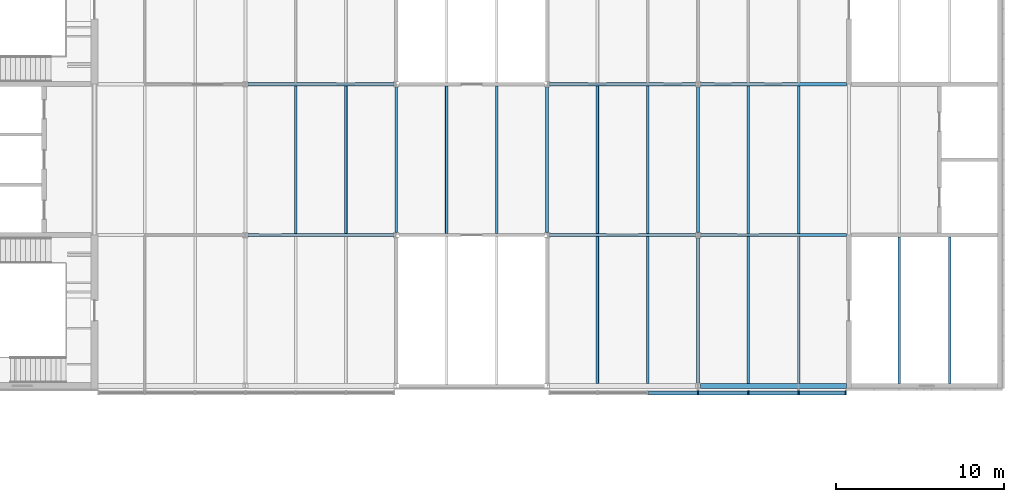
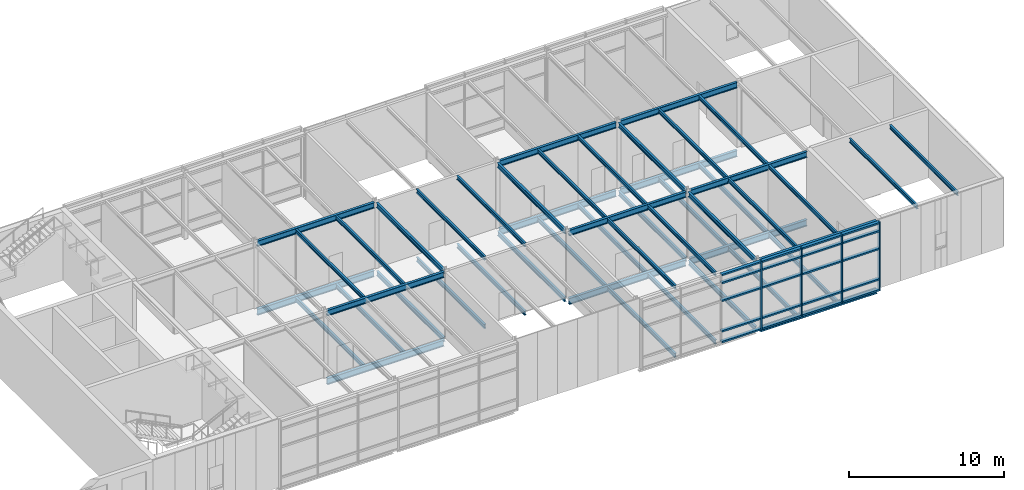
# One storey, part 26 of 46: 48 beams, 24 members, 1 element without a shape of its own.
"""IFC4 building model written with IfcOpenShell, lengths in metres."""

from ifc_helpers import new_model, si_unit, direction, frame, origin, origin_2d, place, context, subcontext, project, spatial, rectangle, i_section, extrude, material, material_profile, profile_set, type_object, element, aggregate, save


model = new_model("IFC4")

# Units and contexts
model_context = context("Model", 3, precision=1e-05, world=origin(), true_north=direction((0.0, 1.0)))
body_context = subcontext(model_context, "Body", "Model", "MODEL_VIEW")
ifc_project = project(units=[si_unit("LENGTHUNIT", "METRE"), si_unit("AREAUNIT", "SQUARE_METRE"), si_unit("VOLUMEUNIT", "CUBIC_METRE"), si_unit("PLANEANGLEUNIT", "RADIAN"), si_unit("MASSUNIT", "GRAM", prefix="KILO")], contexts=[model_context])

# Site, building, storey
site_placement = place(None, origin())
site = spatial("IfcSite", under=ifc_project, at=site_placement, CompositionType="ELEMENT")
building_placement = place(site_placement, origin())
building = spatial("IfcBuilding", under=site, at=building_placement, Name="Azimuth Sports and Learning Centre", CompositionType="ELEMENT")
storey_placement = place(building_placement, frame((0.0, 0.0, 21.60009765625)))
storey = spatial("IfcBuildingStorey", under=building, at=storey_placement, Name="L04", CompositionType="ELEMENT", Elevation=21.60009765625)

# Beams
ifc_material_1 = material(Name="Steel S355", Category="steel")
ifc_material_profile_1 = material_profile(ifc_material_1, i_section(OverallWidth=0.169921875, OverallDepth=0.360107421875, WebThickness=0.008056640625, FlangeThickness=0.0126953125, FilletRadius=0.01806640625, at=origin_2d()), Name="IPE 360")
ifc_profile_set_1 = profile_set([ifc_material_profile_1], Name="Steel S355")
beam_type_1 = type_object("IfcBeamType", Name="Beam IPE 360", PredefinedType="BEAM", material=ifc_profile_set_1)
for number, where, z_axis, x_axis, name in (
    (1, (135.0, 99.179931640625, -0.330078125), (0.0, 1.0, 0.0), (-1.0, 0.0, 0.0), "Beam L04 WE 21"),
    (2, (144.0, 99.179931640625, -0.330078125), (0.0, 1.0, 0.0), (-1.0, 0.0, 0.0), "Beam L04 WE 22"),
    (3, (153.0, 90.179931640625, -0.330078125), (0.0, 1.0, 0.0), (-1.0, 0.0, 0.0), "Beam L04 WE 23"),
    (4, (153.0, 99.179931640625, -0.330078125), (0.0, 1.0, 0.0), (-1.0, 0.0, 0.0), "Beam L04 WE 24"),
):
    element("IfcBeam", number, at=place(storey_placement, frame(where, z_axis=z_axis, x_axis=x_axis)), inside=storey, type_object=beam_type_1, Name=name, PredefinedType="BEAM", context=body_context, shape_type="SweptSolid", body=[
        extrude(i_section(OverallWidth=0.169921875, OverallDepth=0.360107421875, WebThickness=0.008056640625, FlangeThickness=0.0126953125, FilletRadius=0.01806640625, at=origin_2d()), origin(), (0.0, 0.0, 1.0), 8.64013671875),
    ])
for number, where, z_axis, x_axis, name in (
    (5, (135.0, 99.14990234375, 5.02001953125), (0.0, 1.0, 0.0), (-1.0, 0.0, 0.0), "Beam L04 TE 82"),
    (6, (144.0, 99.14990234375, 5.02001953125), (0.0, 1.0, 0.0), (-1.0, 0.0, 0.0), "Beam L04 TE 83"),
    (7, (153.0, 90.14990234375, 5.02001953125), (0.0, 1.0, 0.0), (-1.0, 0.0, 0.0), "Beam L04 TE 84"),
    (8, (153.0, 99.14990234375, 5.02001953125), (0.0, 1.0, 0.0), (-1.0, 0.0, 0.0), "Beam L04 TE 85"),
):
    element("IfcBeam", number, at=place(storey_placement, frame(where, z_axis=z_axis, x_axis=x_axis)), inside=storey, type_object=beam_type_1, Name=name, PredefinedType="BEAM", context=body_context, shape_type="SweptSolid", body=[
        extrude(i_section(OverallWidth=0.169921875, OverallDepth=0.360107421875, WebThickness=0.008056640625, FlangeThickness=0.0126953125, FilletRadius=0.01806640625, at=origin_2d()), origin(), (0.0, 0.0, 1.0), 8.7001953125),
    ])
ifc_material_2 = material(Name="Steel S355", Category="steel")
ifc_material_profile_2 = material_profile(ifc_material_2, i_section(OverallWidth=0.18994140625, OverallDepth=0.449951171875, WebThickness=0.009521484375, FlangeThickness=0.0146484375, FilletRadius=0.02099609375, at=origin_2d()), Name="IPE 450")
ifc_profile_set_2 = profile_set([ifc_material_profile_2], Name="Steel S355")
beam_type_2 = type_object("IfcBeamType", Name="Beam IPE 450", PredefinedType="BEAM", material=ifc_profile_set_2)
for number, where, z_axis, x_axis, name in (
    (9, (126.14990234375, 99.0, 4.974853515625), (1.0, 0.0, 0.0), (0.0, 1.0, 0.0), "Beam L04 TE 67"),
    (10, (144.14990234375, 99.0, 4.974853515625), (1.0, 0.0, 0.0), (0.0, 1.0, 0.0), "Beam L04 TE 68"),
    (11, (153.14990234375, 99.0, 4.974853515625), (1.0, 0.0, 0.0), (0.0, 1.0, 0.0), "Beam L04 TE 69"),
    (12, (126.14990234375, 108.0, 4.974853515625), (1.0, 0.0, 0.0), (0.0, 1.0, 0.0), "Beam L04 TE 71"),
    (13, (144.14990234375, 108.0, 4.974853515625), (1.0, 0.0, 0.0), (0.0, 1.0, 0.0), "Beam L04 TE 72"),
    (14, (153.14990234375, 108.0, 4.974853515625), (1.0, 0.0, 0.0), (0.0, 1.0, 0.0), "Beam L04 TE 73"),
):
    element("IfcBeam", number, at=place(storey_placement, frame(where, z_axis=z_axis, x_axis=x_axis)), inside=storey, type_object=beam_type_2, Name=name, PredefinedType="BEAM", context=body_context, shape_type="SweptSolid", body=[
        extrude(i_section(OverallWidth=0.18994140625, OverallDepth=0.449951171875, WebThickness=0.009521484375, FlangeThickness=0.0146484375, FilletRadius=0.02099609375, at=origin_2d()), origin(), (0.0, 0.0, 1.0), 8.7001953125),
    ])
ifc_material_3 = material(Name="Steel S355", Category="steel")
ifc_material_profile_3 = material_profile(ifc_material_3, i_section(OverallWidth=0.199951171875, OverallDepth=0.5, WebThickness=0.01025390625, FlangeThickness=0.01611328125, FilletRadius=0.02099609375, at=origin_2d()), Name="IPE 500")
ifc_profile_set_3 = profile_set([ifc_material_profile_3], Name="Steel S355")
beam_type_3 = type_object("IfcBeamType", Name="Beam IPE 500", PredefinedType="BEAM", material=ifc_profile_set_3)
for number, where, z_axis, x_axis, name in (
    (15, (126.14990234375, 99.0, -0.400146484375), (1.0, 0.0, 0.0), (0.0, 1.0, 0.0), "Beam L04 WE 6"),
    (16, (144.14990234375, 99.0, -0.400146484375), (1.0, 0.0, 0.0), (0.0, 1.0, 0.0), "Beam L04 WE 7"),
    (17, (153.14990234375, 99.0, -0.400146484375), (1.0, 0.0, 0.0), (0.0, 1.0, 0.0), "Beam L04 WE 8"),
    (18, (126.14990234375, 108.0, -0.400146484375), (1.0, 0.0, 0.0), (0.0, 1.0, 0.0), "Beam L04 WE 10"),
    (19, (144.14990234375, 108.0, -0.400146484375), (1.0, 0.0, 0.0), (0.0, 1.0, 0.0), "Beam L04 WE 11"),
    (20, (153.14990234375, 108.0, -0.400146484375), (1.0, 0.0, 0.0), (0.0, 1.0, 0.0), "Beam L04 WE 12"),
):
    element("IfcBeam", number, at=place(storey_placement, frame(where, z_axis=z_axis, x_axis=x_axis)), inside=storey, type_object=beam_type_3, Name=name, PredefinedType="BEAM", context=body_context, shape_type="SweptSolid", body=[
        extrude(i_section(OverallWidth=0.199951171875, OverallDepth=0.5, WebThickness=0.01025390625, FlangeThickness=0.01611328125, FilletRadius=0.02099609375, at=origin_2d()), origin(), (0.0, 0.0, 1.0), 8.7001953125),
    ])
ifc_material_4 = material(Name="Steel S355", Category="steel")
ifc_material_profile_4 = material_profile(ifc_material_4, i_section(OverallWidth=0.300048828125, OverallDepth=0.2900390625, WebThickness=0.008544921875, FlangeThickness=0.013916015625, FilletRadius=0.027099609375, at=origin_2d()), Name="HEA 300")
ifc_profile_set_4 = profile_set([ifc_material_profile_4], Name="Steel S355")
beam_type_4 = type_object("IfcBeamType", Name="Edge beam HEA 300", PredefinedType="SPANDREL", material=ifc_profile_set_4)
beam_1_placement = place(storey_placement, frame((153.14990234375, 90.0, 5.054931640625), z_axis=(1.0, 0.0, 0.0), x_axis=(0.0, 1.0, 0.0)))
element("IfcBeam", 21, at=beam_1_placement, inside=storey, type_object=beam_type_4, Name="Edge beam L04 TE 65", PredefinedType="SPANDREL", context=body_context, shape_type="SweptSolid", body=[
    extrude(i_section(OverallWidth=0.300048828125, OverallDepth=0.2900390625, WebThickness=0.008544921875, FlangeThickness=0.013916015625, FilletRadius=0.027099609375, at=origin_2d()), origin(), (0.0, 0.0, 1.0), 8.7001953125),
])
ifc_material_5 = material(Name="Steel S355", Category="steel")
ifc_material_profile_5 = material_profile(ifc_material_5, i_section(OverallWidth=0.300048828125, OverallDepth=0.31005859375, WebThickness=0.009033203125, FlangeThickness=0.015380859375, FilletRadius=0.027099609375, at=origin_2d()), Name="HEA 320")
ifc_profile_set_5 = profile_set([ifc_material_profile_5], Name="Steel S355")
beam_type_5 = type_object("IfcBeamType", Name="Edge beam HEA 320", PredefinedType="SPANDREL", material=ifc_profile_set_5)
beam_2_placement = place(storey_placement, frame((153.14990234375, 90.0, -0.30517578125), z_axis=(1.0, 0.0, 0.0), x_axis=(0.0, 1.0, 0.0)))
element("IfcBeam", 22, at=beam_2_placement, inside=storey, type_object=beam_type_5, Name="Edge beam L04 WE 4", PredefinedType="SPANDREL", context=body_context, shape_type="SweptSolid", body=[
    extrude(i_section(OverallWidth=0.300048828125, OverallDepth=0.31005859375, WebThickness=0.009033203125, FlangeThickness=0.015380859375, FilletRadius=0.027099609375, at=origin_2d()), origin(), (0.0, 0.0, 1.0), 8.7001953125),
])
ifc_material_6 = material(Name="Steel S355", Category="steel")
ifc_material_profile_6 = material_profile(ifc_material_6, i_section(OverallWidth=0.14990234375, OverallDepth=0.300048828125, WebThickness=0.007080078125, FlangeThickness=0.0107421875, FilletRadius=0.014892578125, at=origin_2d()), Name="IPE 300")
ifc_profile_set_6 = profile_set([ifc_material_profile_6], Name="Steel S355")
beam_type_6 = type_object("IfcBeamType", Name="Joist IPE 300", PredefinedType="JOIST", material=ifc_profile_set_6)
for number, where, z_axis, x_axis, name in (
    (23, (129.0, 99.094970703125, 5.0498046875), (0.0, 1.0, 0.0), (-1.0, 0.0, 0.0), "Joist L04 TE 95"),
    (24, (132.0, 99.094970703125, 5.0498046875), (0.0, 1.0, 0.0), (-1.0, 0.0, 0.0), "Joist L04 TE 98"),
):
    element("IfcBeam", number, at=place(storey_placement, frame(where, z_axis=z_axis, x_axis=x_axis)), inside=storey, type_object=beam_type_6, Name=name, PredefinedType="JOIST", context=body_context, shape_type="SweptSolid", body=[
        extrude(i_section(OverallWidth=0.14990234375, OverallDepth=0.300048828125, WebThickness=0.007080078125, FlangeThickness=0.0107421875, FilletRadius=0.014892578125, at=origin_2d()), origin(), (0.0, 0.0, 1.0), 8.81005859375),
    ])
for number, where, z_axis, x_axis, name in (
    (25, (138.0, 99.10009765625, 5.0498046875), (0.0, 1.0, 0.0), (-1.0, 0.0, 0.0), "Joist L04 TE 101"),
    (26, (141.0, 99.10009765625, 5.0498046875), (0.0, 1.0, 0.0), (-1.0, 0.0, 0.0), "Joist L04 TE 104"),
):
    element("IfcBeam", number, at=place(storey_placement, frame(where, z_axis=z_axis, x_axis=x_axis)), inside=storey, type_object=beam_type_6, Name=name, PredefinedType="JOIST", context=body_context, shape_type="SweptSolid", body=[
        extrude(i_section(OverallWidth=0.14990234375, OverallDepth=0.300048828125, WebThickness=0.007080078125, FlangeThickness=0.0107421875, FilletRadius=0.014892578125, at=origin_2d()), origin(), (0.0, 0.0, 1.0), 8.7998046875),
    ])
beam_3_placement = place(storey_placement, frame((147.0, 90.14990234375, 5.0498046875), z_axis=(0.0, 1.0, 0.0), x_axis=(-1.0, 0.0, 0.0)))
element("IfcBeam", 27, at=beam_3_placement, inside=storey, type_object=beam_type_6, Name="Joist L04 TE 106", PredefinedType="JOIST", context=body_context, shape_type="SweptSolid", body=[
    extrude(i_section(OverallWidth=0.14990234375, OverallDepth=0.300048828125, WebThickness=0.007080078125, FlangeThickness=0.0107421875, FilletRadius=0.014892578125, at=origin_2d()), origin(), (0.0, 0.0, 1.0), 8.755126953125),
])
beam_4_placement = place(storey_placement, frame((147.0, 99.094970703125, 5.0498046875), z_axis=(0.0, 1.0, 0.0), x_axis=(-1.0, 0.0, 0.0)))
element("IfcBeam", 28, at=beam_4_placement, inside=storey, type_object=beam_type_6, Name="Joist L04 TE 107", PredefinedType="JOIST", context=body_context, shape_type="SweptSolid", body=[
    extrude(i_section(OverallWidth=0.14990234375, OverallDepth=0.300048828125, WebThickness=0.007080078125, FlangeThickness=0.0107421875, FilletRadius=0.014892578125, at=origin_2d()), origin(), (0.0, 0.0, 1.0), 8.81005859375),
])
beam_5_placement = place(storey_placement, frame((150.0, 90.14990234375, 5.0498046875), z_axis=(0.0, 1.0, 0.0), x_axis=(-1.0, 0.0, 0.0)))
element("IfcBeam", 29, at=beam_5_placement, inside=storey, type_object=beam_type_6, Name="Joist L04 TE 109", PredefinedType="JOIST", context=body_context, shape_type="SweptSolid", body=[
    extrude(i_section(OverallWidth=0.14990234375, OverallDepth=0.300048828125, WebThickness=0.007080078125, FlangeThickness=0.0107421875, FilletRadius=0.014892578125, at=origin_2d()), origin(), (0.0, 0.0, 1.0), 8.755126953125),
])
beam_6_placement = place(storey_placement, frame((150.0, 99.094970703125, 5.0498046875), z_axis=(0.0, 1.0, 0.0), x_axis=(-1.0, 0.0, 0.0)))
element("IfcBeam", 30, at=beam_6_placement, inside=storey, type_object=beam_type_6, Name="Joist L04 TE 110", PredefinedType="JOIST", context=body_context, shape_type="SweptSolid", body=[
    extrude(i_section(OverallWidth=0.14990234375, OverallDepth=0.300048828125, WebThickness=0.007080078125, FlangeThickness=0.0107421875, FilletRadius=0.014892578125, at=origin_2d()), origin(), (0.0, 0.0, 1.0), 8.81005859375),
])
beam_7_placement = place(storey_placement, frame((156.0, 90.14990234375, 5.0498046875), z_axis=(0.0, 1.0, 0.0), x_axis=(-1.0, 0.0, 0.0)))
element("IfcBeam", 31, at=beam_7_placement, inside=storey, type_object=beam_type_6, Name="Joist L04 TE 112", PredefinedType="JOIST", context=body_context, shape_type="SweptSolid", body=[
    extrude(i_section(OverallWidth=0.14990234375, OverallDepth=0.300048828125, WebThickness=0.007080078125, FlangeThickness=0.0107421875, FilletRadius=0.014892578125, at=origin_2d()), origin(), (0.0, 0.0, 1.0), 8.755126953125),
])
beam_8_placement = place(storey_placement, frame((156.0, 99.094970703125, 5.0498046875), z_axis=(0.0, 1.0, 0.0), x_axis=(-1.0, 0.0, 0.0)))
element("IfcBeam", 32, at=beam_8_placement, inside=storey, type_object=beam_type_6, Name="Joist L04 TE 113", PredefinedType="JOIST", context=body_context, shape_type="SweptSolid", body=[
    extrude(i_section(OverallWidth=0.14990234375, OverallDepth=0.300048828125, WebThickness=0.007080078125, FlangeThickness=0.0107421875, FilletRadius=0.014892578125, at=origin_2d()), origin(), (0.0, 0.0, 1.0), 8.81005859375),
])
beam_9_placement = place(storey_placement, frame((159.0, 90.14990234375, 5.0498046875), z_axis=(0.0, 1.0, 0.0), x_axis=(-1.0, 0.0, 0.0)))
element("IfcBeam", 33, at=beam_9_placement, inside=storey, type_object=beam_type_6, Name="Joist L04 TE 115", PredefinedType="JOIST", context=body_context, shape_type="SweptSolid", body=[
    extrude(i_section(OverallWidth=0.14990234375, OverallDepth=0.300048828125, WebThickness=0.007080078125, FlangeThickness=0.0107421875, FilletRadius=0.014892578125, at=origin_2d()), origin(), (0.0, 0.0, 1.0), 8.755126953125),
])
beam_10_placement = place(storey_placement, frame((159.0, 99.094970703125, 5.0498046875), z_axis=(0.0, 1.0, 0.0), x_axis=(-1.0, 0.0, 0.0)))
element("IfcBeam", 34, at=beam_10_placement, inside=storey, type_object=beam_type_6, Name="Joist L04 TE 116", PredefinedType="JOIST", context=body_context, shape_type="SweptSolid", body=[
    extrude(i_section(OverallWidth=0.14990234375, OverallDepth=0.300048828125, WebThickness=0.007080078125, FlangeThickness=0.0107421875, FilletRadius=0.014892578125, at=origin_2d()), origin(), (0.0, 0.0, 1.0), 8.81005859375),
])
for number, where, z_axis, x_axis, name in (
    (35, (165.0, 90.14990234375, 5.0498046875), (0.0, 1.0, 0.0), (-1.0, 0.0, 0.0), "Joist L04 TE 118"),
    (36, (168.0, 90.14990234375, 5.0498046875), (0.0, 1.0, 0.0), (-1.0, 0.0, 0.0), "Joist L04 TE 121"),
):
    element("IfcBeam", number, at=place(storey_placement, frame(where, z_axis=z_axis, x_axis=x_axis)), inside=storey, type_object=beam_type_6, Name=name, PredefinedType="JOIST", context=body_context, shape_type="SweptSolid", body=[
        extrude(i_section(OverallWidth=0.14990234375, OverallDepth=0.300048828125, WebThickness=0.007080078125, FlangeThickness=0.0107421875, FilletRadius=0.014892578125, at=origin_2d()), origin(), (0.0, 0.0, 1.0), 8.72509765625),
    ])
ifc_material_7 = material(Name="Steel S355", Category="steel")
ifc_material_profile_7 = material_profile(ifc_material_7, i_section(OverallWidth=0.159912109375, OverallDepth=0.330078125, WebThickness=0.007568359375, FlangeThickness=0.011474609375, FilletRadius=0.01806640625, at=origin_2d()), Name="IPE 330")
ifc_profile_set_7 = profile_set([ifc_material_profile_7], Name="Steel S355")
beam_type_7 = type_object("IfcBeamType", Name="Joist IPE 330", PredefinedType="JOIST", material=ifc_profile_set_7)
for number, where, z_axis, x_axis, name in (
    (37, (129.0, 99.10009765625, -0.315185546875), (0.0, 1.0, 0.0), (-1.0, 0.0, 0.0), "Joist L04 WE 34"),
    (38, (132.0, 99.10009765625, -0.315185546875), (0.0, 1.0, 0.0), (-1.0, 0.0, 0.0), "Joist L04 WE 37"),
    (39, (138.0, 99.10009765625, -0.315185546875), (0.0, 1.0, 0.0), (-1.0, 0.0, 0.0), "Joist L04 WE 39"),
    (40, (141.0, 99.10009765625, -0.315185546875), (0.0, 1.0, 0.0), (-1.0, 0.0, 0.0), "Joist L04 WE 40"),
):
    element("IfcBeam", number, at=place(storey_placement, frame(where, z_axis=z_axis, x_axis=x_axis)), inside=storey, type_object=beam_type_7, Name=name, PredefinedType="JOIST", context=body_context, shape_type="SweptSolid", body=[
        extrude(i_section(OverallWidth=0.159912109375, OverallDepth=0.330078125, WebThickness=0.007568359375, FlangeThickness=0.011474609375, FilletRadius=0.01806640625, at=origin_2d()), origin(), (0.0, 0.0, 1.0), 8.7998046875),
    ])
beam_11_placement = place(storey_placement, frame((147.0, 90.14990234375, -0.315185546875), z_axis=(0.0, 1.0, 0.0), x_axis=(-1.0, 0.0, 0.0)))
element("IfcBeam", 41, at=beam_11_placement, inside=storey, type_object=beam_type_7, Name="Joist L04 WE 41", PredefinedType="JOIST", context=body_context, shape_type="SweptSolid", body=[
    extrude(i_section(OverallWidth=0.159912109375, OverallDepth=0.330078125, WebThickness=0.007568359375, FlangeThickness=0.011474609375, FilletRadius=0.01806640625, at=origin_2d()), origin(), (0.0, 0.0, 1.0), 8.75),
])
beam_12_placement = place(storey_placement, frame((147.0, 99.10009765625, -0.315185546875), z_axis=(0.0, 1.0, 0.0), x_axis=(-1.0, 0.0, 0.0)))
element("IfcBeam", 42, at=beam_12_placement, inside=storey, type_object=beam_type_7, Name="Joist L04 WE 42", PredefinedType="JOIST", context=body_context, shape_type="SweptSolid", body=[
    extrude(i_section(OverallWidth=0.159912109375, OverallDepth=0.330078125, WebThickness=0.007568359375, FlangeThickness=0.011474609375, FilletRadius=0.01806640625, at=origin_2d()), origin(), (0.0, 0.0, 1.0), 8.7998046875),
])
beam_13_placement = place(storey_placement, frame((150.0, 90.14990234375, -0.315185546875), z_axis=(0.0, 1.0, 0.0), x_axis=(-1.0, 0.0, 0.0)))
element("IfcBeam", 43, at=beam_13_placement, inside=storey, type_object=beam_type_7, Name="Joist L04 WE 44", PredefinedType="JOIST", context=body_context, shape_type="SweptSolid", body=[
    extrude(i_section(OverallWidth=0.159912109375, OverallDepth=0.330078125, WebThickness=0.007568359375, FlangeThickness=0.011474609375, FilletRadius=0.01806640625, at=origin_2d()), origin(), (0.0, 0.0, 1.0), 8.75),
])
beam_14_placement = place(storey_placement, frame((150.0, 99.10009765625, -0.315185546875), z_axis=(0.0, 1.0, 0.0), x_axis=(-1.0, 0.0, 0.0)))
element("IfcBeam", 44, at=beam_14_placement, inside=storey, type_object=beam_type_7, Name="Joist L04 WE 45", PredefinedType="JOIST", context=body_context, shape_type="SweptSolid", body=[
    extrude(i_section(OverallWidth=0.159912109375, OverallDepth=0.330078125, WebThickness=0.007568359375, FlangeThickness=0.011474609375, FilletRadius=0.01806640625, at=origin_2d()), origin(), (0.0, 0.0, 1.0), 8.7998046875),
])
beam_15_placement = place(storey_placement, frame((156.0, 90.14990234375, -0.315185546875), z_axis=(0.0, 1.0, 0.0), x_axis=(-1.0, 0.0, 0.0)))
element("IfcBeam", 45, at=beam_15_placement, inside=storey, type_object=beam_type_7, Name="Joist L04 WE 47", PredefinedType="JOIST", context=body_context, shape_type="SweptSolid", body=[
    extrude(i_section(OverallWidth=0.159912109375, OverallDepth=0.330078125, WebThickness=0.007568359375, FlangeThickness=0.011474609375, FilletRadius=0.01806640625, at=origin_2d()), origin(), (0.0, 0.0, 1.0), 8.75),
])
beam_16_placement = place(storey_placement, frame((156.0, 99.10009765625, -0.315185546875), z_axis=(0.0, 1.0, 0.0), x_axis=(-1.0, 0.0, 0.0)))
element("IfcBeam", 46, at=beam_16_placement, inside=storey, type_object=beam_type_7, Name="Joist L04 WE 48", PredefinedType="JOIST", context=body_context, shape_type="SweptSolid", body=[
    extrude(i_section(OverallWidth=0.159912109375, OverallDepth=0.330078125, WebThickness=0.007568359375, FlangeThickness=0.011474609375, FilletRadius=0.01806640625, at=origin_2d()), origin(), (0.0, 0.0, 1.0), 8.7998046875),
])
beam_17_placement = place(storey_placement, frame((159.0, 90.14990234375, -0.315185546875), z_axis=(0.0, 1.0, 0.0), x_axis=(-1.0, 0.0, 0.0)))
element("IfcBeam", 47, at=beam_17_placement, inside=storey, type_object=beam_type_7, Name="Joist L04 WE 50", PredefinedType="JOIST", context=body_context, shape_type="SweptSolid", body=[
    extrude(i_section(OverallWidth=0.159912109375, OverallDepth=0.330078125, WebThickness=0.007568359375, FlangeThickness=0.011474609375, FilletRadius=0.01806640625, at=origin_2d()), origin(), (0.0, 0.0, 1.0), 8.75),
])
beam_18_placement = place(storey_placement, frame((159.0, 99.10009765625, -0.315185546875), z_axis=(0.0, 1.0, 0.0), x_axis=(-1.0, 0.0, 0.0)))
element("IfcBeam", 48, at=beam_18_placement, inside=storey, type_object=beam_type_7, Name="Joist L04 WE 51", PredefinedType="JOIST", context=body_context, shape_type="SweptSolid", body=[
    extrude(i_section(OverallWidth=0.159912109375, OverallDepth=0.330078125, WebThickness=0.007568359375, FlangeThickness=0.011474609375, FilletRadius=0.01806640625, at=origin_2d()), origin(), (0.0, 0.0, 1.0), 8.7998046875),
])

# Curtain wall, members
ifc_material_8 = material(Name="Aluminium and glass", Category="aluminium")
curtain_wall_type = type_object("IfcCurtainWallType", Name="Curtain wall podium wing 240", PredefinedType="NOTDEFINED", material=ifc_material_8)
curtain_wall_placement = place(storey_placement, origin())
curtain_wall = element("IfcCurtainWall", 49, at=curtain_wall_placement, inside=storey, type_object=curtain_wall_type, Name="Curtain wall CW04-010", PredefinedType="NOTDEFINED")
ifc_material_9 = material(Name="Aluminium", Category="aluminium")
ifc_material_profile_8 = material_profile(ifc_material_9, rectangle(XDim=0.239990234375, YDim=0.080078125, at=origin_2d()), Name="Mullion 80x240")
ifc_profile_set_8 = profile_set([ifc_material_profile_8], Name="Aluminium")
member_type_1 = type_object("IfcMemberType", Name="Mullion 80x240", PredefinedType="MULLION", material=ifc_profile_set_8)
member_1_placement = place(storey_placement, frame((153.0, 89.580078125, 0.0), z_axis=(0.0, 0.0, 1.0), x_axis=(0.0, 1.0, 0.0)))
member_1 = element("IfcMember", 50, at=member_1_placement, type_object=member_type_1, Name="CW04-010 mullion 4", PredefinedType="MULLION", context=body_context, shape_type="SweptSolid", body=[
    extrude(rectangle(XDim=0.239990234375, YDim=0.080078125, at=origin_2d()), origin(), (0.0, 0.0, 1.0), 5.39990234375),
])
member_2_placement = place(storey_placement, frame((156.0, 89.580078125, 0.0), z_axis=(0.0, 0.0, 1.0), x_axis=(0.0, 1.0, 0.0)))
member_2 = element("IfcMember", 51, at=member_2_placement, type_object=member_type_1, Name="CW04-010 mullion 5", PredefinedType="MULLION", context=body_context, shape_type="SweptSolid", body=[
    extrude(rectangle(XDim=0.239990234375, YDim=0.080078125, at=origin_2d()), origin(), (0.0, 0.0, 1.0), 5.39990234375),
])
member_3_placement = place(storey_placement, frame((159.0, 89.580078125, 0.0), z_axis=(0.0, 0.0, 1.0), x_axis=(0.0, 1.0, 0.0)))
member_3 = element("IfcMember", 52, at=member_3_placement, type_object=member_type_1, Name="CW04-010 mullion 6", PredefinedType="MULLION", context=body_context, shape_type="SweptSolid", body=[
    extrude(rectangle(XDim=0.239990234375, YDim=0.080078125, at=origin_2d()), origin(), (0.0, 0.0, 1.0), 5.39990234375),
])
member_4_placement = place(storey_placement, frame((161.81005859375, 89.580078125, 0.0), z_axis=(0.0, 0.0, 1.0), x_axis=(0.0, 1.0, 0.0)))
member_4 = element("IfcMember", 53, at=member_4_placement, type_object=member_type_1, Name="CW04-010 mullion 7", PredefinedType="MULLION", context=body_context, shape_type="SweptSolid", body=[
    extrude(rectangle(XDim=0.239990234375, YDim=0.080078125, at=origin_2d()), origin(), (0.0, 0.0, 1.0), 5.39990234375),
])
ifc_material_10 = material(Name="Aluminium", Category="aluminium")
ifc_material_profile_9 = material_profile(ifc_material_10, rectangle(XDim=0.239990234375, YDim=0.1201171875, at=origin_2d()), Name="Transom 120x240")
ifc_profile_set_9 = profile_set([ifc_material_profile_9], Name="Aluminium")
member_type_2 = type_object("IfcMemberType", Name="Transom 120x240", PredefinedType="USERDEFINED", material=ifc_profile_set_9)
member_5_placement = place(storey_placement, frame((150.0400390625, 89.580078125, 0.059814453125), z_axis=(1.0, 0.0, 0.0), x_axis=(0.0, 1.0, 0.0)))
member_5 = element("IfcMember", 54, at=member_5_placement, type_object=member_type_2, Name="CW04-010 transom 3.1", ObjectType="TRANSOM", PredefinedType="USERDEFINED", context=body_context, shape_type="SweptSolid", body=[
    extrude(rectangle(XDim=0.239990234375, YDim=0.1201171875, at=origin_2d()), origin(), (0.0, 0.0, 1.0), 2.919921875),
])
member_6_placement = place(storey_placement, frame((150.0400390625, 89.580078125, 0.89990234375), z_axis=(1.0, 0.0, 0.0), x_axis=(0.0, 1.0, 0.0)))
member_6 = element("IfcMember", 55, at=member_6_placement, type_object=member_type_2, Name="CW04-010 transom 3.2", ObjectType="TRANSOM", PredefinedType="USERDEFINED", context=body_context, shape_type="SweptSolid", body=[
    extrude(rectangle(XDim=0.239990234375, YDim=0.1201171875, at=origin_2d()), origin(), (0.0, 0.0, 1.0), 2.919921875),
])
member_7_placement = place(storey_placement, frame((150.0400390625, 89.580078125, 3.2998046875), z_axis=(1.0, 0.0, 0.0), x_axis=(0.0, 1.0, 0.0)))
member_7 = element("IfcMember", 56, at=member_7_placement, type_object=member_type_2, Name="CW04-010 transom 3.3", ObjectType="TRANSOM", PredefinedType="USERDEFINED", context=body_context, shape_type="SweptSolid", body=[
    extrude(rectangle(XDim=0.239990234375, YDim=0.1201171875, at=origin_2d()), origin(), (0.0, 0.0, 1.0), 2.919921875),
])
member_8_placement = place(storey_placement, frame((150.0400390625, 89.580078125, 4.699951171875), z_axis=(1.0, 0.0, 0.0), x_axis=(0.0, 1.0, 0.0)))
member_8 = element("IfcMember", 57, at=member_8_placement, type_object=member_type_2, Name="CW04-010 transom 3.4", ObjectType="TRANSOM", PredefinedType="USERDEFINED", context=body_context, shape_type="SweptSolid", body=[
    extrude(rectangle(XDim=0.239990234375, YDim=0.1201171875, at=origin_2d()), origin(), (0.0, 0.0, 1.0), 2.919921875),
])
member_9_placement = place(storey_placement, frame((150.0400390625, 89.580078125, 5.33984375), z_axis=(1.0, 0.0, 0.0), x_axis=(0.0, 1.0, 0.0)))
member_9 = element("IfcMember", 58, at=member_9_placement, type_object=member_type_2, Name="CW04-010 transom 3.5", ObjectType="TRANSOM", PredefinedType="USERDEFINED", context=body_context, shape_type="SweptSolid", body=[
    extrude(rectangle(XDim=0.239990234375, YDim=0.1201171875, at=origin_2d()), origin(), (0.0, 0.0, 1.0), 2.919921875),
])
member_10_placement = place(storey_placement, frame((153.0400390625, 89.580078125, 0.059814453125), z_axis=(1.0, 0.0, 0.0), x_axis=(0.0, 1.0, 0.0)))
member_10 = element("IfcMember", 59, at=member_10_placement, type_object=member_type_2, Name="CW04-010 transom 4.1", ObjectType="TRANSOM", PredefinedType="USERDEFINED", context=body_context, shape_type="SweptSolid", body=[
    extrude(rectangle(XDim=0.239990234375, YDim=0.1201171875, at=origin_2d()), origin(), (0.0, 0.0, 1.0), 2.919921875),
])
member_11_placement = place(storey_placement, frame((153.0400390625, 89.580078125, 0.89990234375), z_axis=(1.0, 0.0, 0.0), x_axis=(0.0, 1.0, 0.0)))
member_11 = element("IfcMember", 60, at=member_11_placement, type_object=member_type_2, Name="CW04-010 transom 4.2", ObjectType="TRANSOM", PredefinedType="USERDEFINED", context=body_context, shape_type="SweptSolid", body=[
    extrude(rectangle(XDim=0.239990234375, YDim=0.1201171875, at=origin_2d()), origin(), (0.0, 0.0, 1.0), 2.919921875),
])
member_12_placement = place(storey_placement, frame((153.0400390625, 89.580078125, 3.2998046875), z_axis=(1.0, 0.0, 0.0), x_axis=(0.0, 1.0, 0.0)))
member_12 = element("IfcMember", 61, at=member_12_placement, type_object=member_type_2, Name="CW04-010 transom 4.3", ObjectType="TRANSOM", PredefinedType="USERDEFINED", context=body_context, shape_type="SweptSolid", body=[
    extrude(rectangle(XDim=0.239990234375, YDim=0.1201171875, at=origin_2d()), origin(), (0.0, 0.0, 1.0), 2.919921875),
])
member_13_placement = place(storey_placement, frame((153.0400390625, 89.580078125, 4.699951171875), z_axis=(1.0, 0.0, 0.0), x_axis=(0.0, 1.0, 0.0)))
member_13 = element("IfcMember", 62, at=member_13_placement, type_object=member_type_2, Name="CW04-010 transom 4.4", ObjectType="TRANSOM", PredefinedType="USERDEFINED", context=body_context, shape_type="SweptSolid", body=[
    extrude(rectangle(XDim=0.239990234375, YDim=0.1201171875, at=origin_2d()), origin(), (0.0, 0.0, 1.0), 2.919921875),
])
member_14_placement = place(storey_placement, frame((153.0400390625, 89.580078125, 5.33984375), z_axis=(1.0, 0.0, 0.0), x_axis=(0.0, 1.0, 0.0)))
member_14 = element("IfcMember", 63, at=member_14_placement, type_object=member_type_2, Name="CW04-010 transom 4.5", ObjectType="TRANSOM", PredefinedType="USERDEFINED", context=body_context, shape_type="SweptSolid", body=[
    extrude(rectangle(XDim=0.239990234375, YDim=0.1201171875, at=origin_2d()), origin(), (0.0, 0.0, 1.0), 2.919921875),
])
member_15_placement = place(storey_placement, frame((156.0400390625, 89.580078125, 0.059814453125), z_axis=(1.0, 0.0, 0.0), x_axis=(0.0, 1.0, 0.0)))
member_15 = element("IfcMember", 64, at=member_15_placement, type_object=member_type_2, Name="CW04-010 transom 5.1", ObjectType="TRANSOM", PredefinedType="USERDEFINED", context=body_context, shape_type="SweptSolid", body=[
    extrude(rectangle(XDim=0.239990234375, YDim=0.1201171875, at=origin_2d()), origin(), (0.0, 0.0, 1.0), 2.919921875),
])
member_16_placement = place(storey_placement, frame((156.0400390625, 89.580078125, 0.89990234375), z_axis=(1.0, 0.0, 0.0), x_axis=(0.0, 1.0, 0.0)))
member_16 = element("IfcMember", 65, at=member_16_placement, type_object=member_type_2, Name="CW04-010 transom 5.2", ObjectType="TRANSOM", PredefinedType="USERDEFINED", context=body_context, shape_type="SweptSolid", body=[
    extrude(rectangle(XDim=0.239990234375, YDim=0.1201171875, at=origin_2d()), origin(), (0.0, 0.0, 1.0), 2.919921875),
])
member_17_placement = place(storey_placement, frame((156.0400390625, 89.580078125, 3.2998046875), z_axis=(1.0, 0.0, 0.0), x_axis=(0.0, 1.0, 0.0)))
member_17 = element("IfcMember", 66, at=member_17_placement, type_object=member_type_2, Name="CW04-010 transom 5.3", ObjectType="TRANSOM", PredefinedType="USERDEFINED", context=body_context, shape_type="SweptSolid", body=[
    extrude(rectangle(XDim=0.239990234375, YDim=0.1201171875, at=origin_2d()), origin(), (0.0, 0.0, 1.0), 2.919921875),
])
member_18_placement = place(storey_placement, frame((156.0400390625, 89.580078125, 4.699951171875), z_axis=(1.0, 0.0, 0.0), x_axis=(0.0, 1.0, 0.0)))
member_18 = element("IfcMember", 67, at=member_18_placement, type_object=member_type_2, Name="CW04-010 transom 5.4", ObjectType="TRANSOM", PredefinedType="USERDEFINED", context=body_context, shape_type="SweptSolid", body=[
    extrude(rectangle(XDim=0.239990234375, YDim=0.1201171875, at=origin_2d()), origin(), (0.0, 0.0, 1.0), 2.919921875),
])
member_19_placement = place(storey_placement, frame((156.0400390625, 89.580078125, 5.33984375), z_axis=(1.0, 0.0, 0.0), x_axis=(0.0, 1.0, 0.0)))
member_19 = element("IfcMember", 68, at=member_19_placement, type_object=member_type_2, Name="CW04-010 transom 5.5", ObjectType="TRANSOM", PredefinedType="USERDEFINED", context=body_context, shape_type="SweptSolid", body=[
    extrude(rectangle(XDim=0.239990234375, YDim=0.1201171875, at=origin_2d()), origin(), (0.0, 0.0, 1.0), 2.919921875),
])
member_20_placement = place(storey_placement, frame((159.0400390625, 89.580078125, 0.059814453125), z_axis=(1.0, 0.0, 0.0), x_axis=(0.0, 1.0, 0.0)))
member_20 = element("IfcMember", 69, at=member_20_placement, type_object=member_type_2, Name="CW04-010 transom 6.1", ObjectType="TRANSOM", PredefinedType="USERDEFINED", context=body_context, shape_type="SweptSolid", body=[
    extrude(rectangle(XDim=0.239990234375, YDim=0.1201171875, at=origin_2d()), origin(), (0.0, 0.0, 1.0), 2.72998046875),
])
member_21_placement = place(storey_placement, frame((159.0400390625, 89.580078125, 0.89990234375), z_axis=(1.0, 0.0, 0.0), x_axis=(0.0, 1.0, 0.0)))
member_21 = element("IfcMember", 70, at=member_21_placement, type_object=member_type_2, Name="CW04-010 transom 6.2", ObjectType="TRANSOM", PredefinedType="USERDEFINED", context=body_context, shape_type="SweptSolid", body=[
    extrude(rectangle(XDim=0.239990234375, YDim=0.1201171875, at=origin_2d()), origin(), (0.0, 0.0, 1.0), 2.72998046875),
])
member_22_placement = place(storey_placement, frame((159.0400390625, 89.580078125, 3.2998046875), z_axis=(1.0, 0.0, 0.0), x_axis=(0.0, 1.0, 0.0)))
member_22 = element("IfcMember", 71, at=member_22_placement, type_object=member_type_2, Name="CW04-010 transom 6.3", ObjectType="TRANSOM", PredefinedType="USERDEFINED", context=body_context, shape_type="SweptSolid", body=[
    extrude(rectangle(XDim=0.239990234375, YDim=0.1201171875, at=origin_2d()), origin(), (0.0, 0.0, 1.0), 2.72998046875),
])
member_23_placement = place(storey_placement, frame((159.0400390625, 89.580078125, 4.699951171875), z_axis=(1.0, 0.0, 0.0), x_axis=(0.0, 1.0, 0.0)))
member_23 = element("IfcMember", 72, at=member_23_placement, type_object=member_type_2, Name="CW04-010 transom 6.4", ObjectType="TRANSOM", PredefinedType="USERDEFINED", context=body_context, shape_type="SweptSolid", body=[
    extrude(rectangle(XDim=0.239990234375, YDim=0.1201171875, at=origin_2d()), origin(), (0.0, 0.0, 1.0), 2.72998046875),
])
member_24_placement = place(storey_placement, frame((159.0400390625, 89.580078125, 5.33984375), z_axis=(1.0, 0.0, 0.0), x_axis=(0.0, 1.0, 0.0)))
member_24 = element("IfcMember", 73, at=member_24_placement, type_object=member_type_2, Name="CW04-010 transom 6.5", ObjectType="TRANSOM", PredefinedType="USERDEFINED", context=body_context, shape_type="SweptSolid", body=[
    extrude(rectangle(XDim=0.239990234375, YDim=0.1201171875, at=origin_2d()), origin(), (0.0, 0.0, 1.0), 2.72998046875),
])
aggregate(curtain_wall, [member_1, member_2, member_3, member_4, member_5, member_6, member_7, member_8, member_9, member_10, member_11, member_12, member_13, member_14, member_15, member_16, member_17, member_18, member_19, member_20, member_21, member_22, member_23, member_24])

save(model, "model.ifc")
